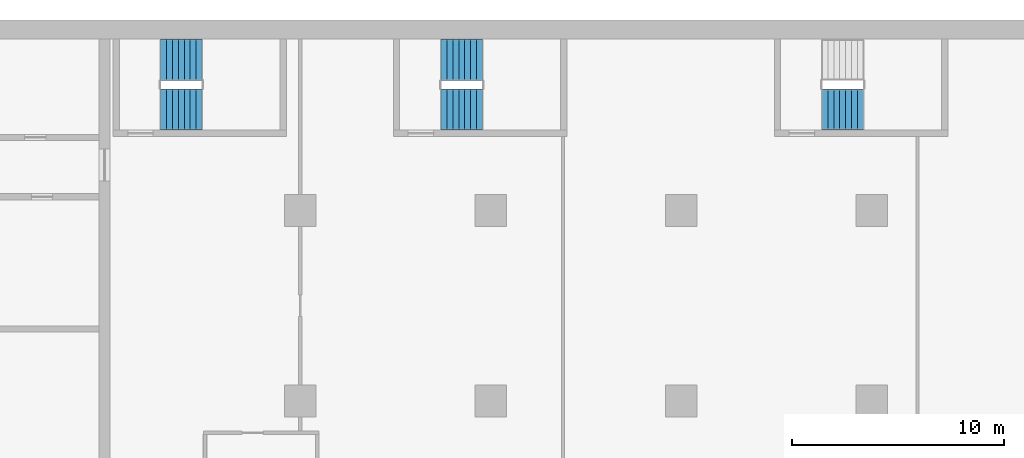
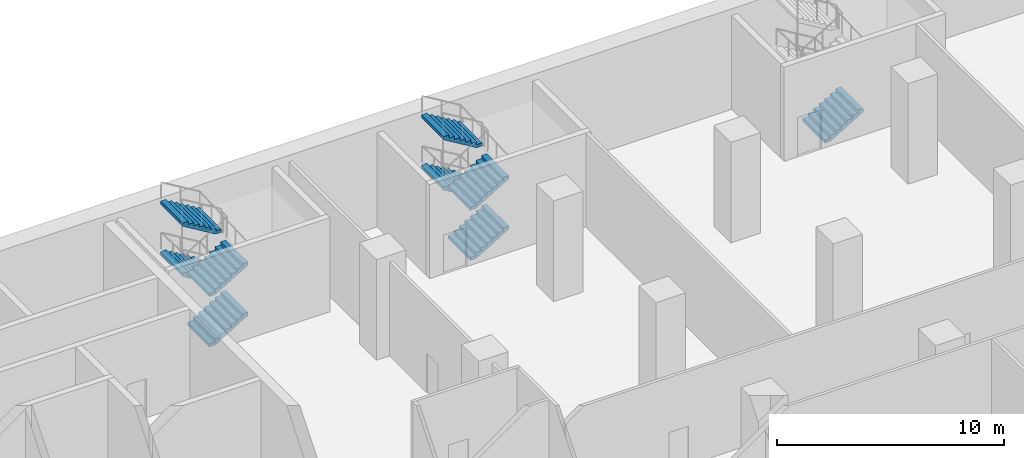
# One storey, part 28 of 44: 9 stair flights, 3 elements without a shape of their own.
"""IFC4 building model written with IfcOpenShell, lengths in metres."""

from ifc_helpers import new_model, si_unit, direction, frame, origin, place, context, subcontext, project, spatial, polyline, outline, extrude, material, type_object, element, aggregate, save


model = new_model("IFC4")

# Units and contexts
model_context = context("Model", 3, precision=1e-05, world=origin(), true_north=direction((0.0, 1.0)))
body_context = subcontext(model_context, "Body", "Model", "MODEL_VIEW")
ifc_project = project(units=[si_unit("LENGTHUNIT", "METRE"), si_unit("AREAUNIT", "SQUARE_METRE"), si_unit("VOLUMEUNIT", "CUBIC_METRE"), si_unit("PLANEANGLEUNIT", "RADIAN"), si_unit("MASSUNIT", "GRAM", prefix="KILO")], contexts=[model_context])

# Site, building, storey
site_placement = place(None, origin())
site = spatial("IfcSite", under=ifc_project, at=site_placement, CompositionType="ELEMENT")
building_placement = place(site_placement, origin())
building = spatial("IfcBuilding", under=site, at=building_placement, Name="Hunhe Ridgeline Campus", CompositionType="ELEMENT")
storey_placement = place(building_placement, frame((0.0, 0.0, 6.0)))
storey = spatial("IfcBuildingStorey", under=building, at=storey_placement, Name="L01", CompositionType="ELEMENT", Elevation=6.0)

# Stair, stair flights
ifc_material = material(Name="Concrete C40", Category="concrete")
stair_type = type_object("IfcStairType", Name="Reinforced concrete dog-leg stair 1950 Concrete C40", PredefinedType="HALF_TURN_STAIR", material=ifc_material)
stair_1_placement = place(storey_placement, origin())
stair_1 = element("IfcStair", 1, at=stair_1_placement, inside=storey, type_object=stair_type, Name="L01 E1", PredefinedType="HALF_TURN_STAIR")
stair_flight_type = type_object("IfcStairFlightType", Name="Reinforced concrete stair flight 1950 Concrete C40", PredefinedType="STRAIGHT", material=ifc_material)
stair_flight_1_placement = place(storey_placement, frame((38.39990234375, 94.77490234375, 0.0), z_axis=(0.0, 0.0, 1.0), x_axis=(1.0, 0.0, 0.0)))
stair_flight_1 = element("IfcStairFlight", 2, at=stair_flight_1_placement, type_object=stair_flight_type, Name="ST5 flight 1", NumberOfRisers=8, NumberOfTreads=7, PredefinedType="STRAIGHT", RiserHeight=0.16875, TreadLength=0.28, context=body_context, shape_type="SweptSolid", body=[
    extrude(outline(polyline([(0.0, 0.0), (0.0, 0.168701171875), (0.280029296875, 0.168701171875), (0.280029296875, 0.33740234375), (0.56005859375, 0.33740234375), (0.56005859375, 0.50634765625), (0.840087890625, 0.50634765625), (0.840087890625, 0.675048828125), (1.1201171875, 0.675048828125), (1.1201171875, 0.84375), (1.39990234375, 0.84375), (1.39990234375, 1.012451171875), (1.679931640625, 1.012451171875), (1.679931640625, 1.18115234375), (1.9599609375, 1.18115234375), (1.9599609375, 1.35009765625), (1.9599609375, 1.00634765625), (0.29052734375, 0.0), (0.0, 0.0)])), frame((0.0, 0.97509765625, 0.0), z_axis=(0.0, -1.0, 0.0), x_axis=(1.0, 0.0, 0.0)), (0.0, 0.0, 1.0), 1.949951171875),
    extrude(outline(polyline([(0.030029296875, 0.030029296875), (0.030029296875, 0.138916015625), (0.31005859375, 0.138916015625), (0.31005859375, 0.3076171875), (0.590087890625, 0.3076171875), (0.590087890625, 0.476318359375), (0.8701171875, 0.476318359375), (0.8701171875, 0.64501953125), (1.14990234375, 0.64501953125), (1.14990234375, 0.813720703125), (1.429931640625, 0.813720703125), (1.429931640625, 0.982421875), (1.7099609375, 0.982421875), (1.7099609375, 1.1513671875), (1.929931640625, 1.1513671875), (1.929931640625, 1.023193359375), (0.281982421875, 0.030029296875), (0.030029296875, 0.030029296875)])), frame((0.0, -0.070068359375, 0.0), z_axis=(0.0, -1.0, 0.0), x_axis=(1.0, 0.0, 0.0)), (0.0, 0.0, 1.0), 0.019775390625),
    extrude(outline(polyline([(0.030029296875, 0.030029296875), (0.030029296875, 0.138916015625), (0.31005859375, 0.138916015625), (0.31005859375, 0.3076171875), (0.590087890625, 0.3076171875), (0.590087890625, 0.476318359375), (0.8701171875, 0.476318359375), (0.8701171875, 0.64501953125), (1.14990234375, 0.64501953125), (1.14990234375, 0.813720703125), (1.429931640625, 0.813720703125), (1.429931640625, 0.982421875), (1.7099609375, 0.982421875), (1.7099609375, 1.1513671875), (1.929931640625, 1.1513671875), (1.929931640625, 1.023193359375), (0.281982421875, 0.030029296875), (0.030029296875, 0.030029296875)])), frame((0.0, 0.010009765625, 0.0), z_axis=(0.0, -1.0, 0.0), x_axis=(1.0, 0.0, 0.0)), (0.0, 0.0, 1.0), 0.019775390625),
    extrude(outline(polyline([(0.030029296875, 0.030029296875), (0.030029296875, 0.138916015625), (0.31005859375, 0.138916015625), (0.31005859375, 0.3076171875), (0.590087890625, 0.3076171875), (0.590087890625, 0.476318359375), (0.8701171875, 0.476318359375), (0.8701171875, 0.64501953125), (1.14990234375, 0.64501953125), (1.14990234375, 0.813720703125), (1.429931640625, 0.813720703125), (1.429931640625, 0.982421875), (1.7099609375, 0.982421875), (1.7099609375, 1.1513671875), (1.929931640625, 1.1513671875), (1.929931640625, 1.023193359375), (0.281982421875, 0.030029296875), (0.030029296875, 0.030029296875)])), frame((0.0, 0.090087890625, 0.0), z_axis=(0.0, -1.0, 0.0), x_axis=(1.0, 0.0, 0.0)), (0.0, 0.0, 1.0), 0.019775390625),
])
stair_flight_2_placement = place(storey_placement, frame((40.360107421875, 97.125, 1.35009765625), z_axis=(0.0, 0.0, 1.0), x_axis=(-1.0, 0.0, 0.0)))
stair_flight_2 = element("IfcStairFlight", 3, at=stair_flight_2_placement, type_object=stair_flight_type, Name="ST5 flight 2", NumberOfRisers=8, NumberOfTreads=7, PredefinedType="STRAIGHT", RiserHeight=0.16875, TreadLength=0.28, context=body_context, shape_type="SweptSolid", body=[
    extrude(outline(polyline([(0.0, 0.0), (0.0, 0.168701171875), (0.280029296875, 0.168701171875), (0.280029296875, 0.33740234375), (0.56005859375, 0.33740234375), (0.56005859375, 0.50634765625), (0.840087890625, 0.50634765625), (0.840087890625, 0.675048828125), (1.1201171875, 0.675048828125), (1.1201171875, 0.84375), (1.39990234375, 0.84375), (1.39990234375, 1.012451171875), (1.679931640625, 1.012451171875), (1.679931640625, 1.18115234375), (1.9599609375, 1.18115234375), (1.9599609375, 1.35009765625), (1.9599609375, 1.00634765625), (0.29052734375, 0.0), (0.0, 0.0)])), frame((0.0, 0.97509765625, 0.0), z_axis=(0.0, -1.0, 0.0), x_axis=(1.0, 0.0, 0.0)), (0.0, 0.0, 1.0), 1.949951171875),
    extrude(outline(polyline([(0.030029296875, 0.030029296875), (0.030029296875, 0.138916015625), (0.31005859375, 0.138916015625), (0.31005859375, 0.3076171875), (0.590087890625, 0.3076171875), (0.590087890625, 0.476318359375), (0.8701171875, 0.476318359375), (0.8701171875, 0.64501953125), (1.14990234375, 0.64501953125), (1.14990234375, 0.813720703125), (1.429931640625, 0.813720703125), (1.429931640625, 0.982421875), (1.7099609375, 0.982421875), (1.7099609375, 1.1513671875), (1.929931640625, 1.1513671875), (1.929931640625, 1.023193359375), (0.281982421875, 0.030029296875), (0.030029296875, 0.030029296875)])), frame((0.0, -0.070068359375, 0.0), z_axis=(0.0, -1.0, 0.0), x_axis=(1.0, 0.0, 0.0)), (0.0, 0.0, 1.0), 0.019775390625),
    extrude(outline(polyline([(0.030029296875, 0.030029296875), (0.030029296875, 0.138916015625), (0.31005859375, 0.138916015625), (0.31005859375, 0.3076171875), (0.590087890625, 0.3076171875), (0.590087890625, 0.476318359375), (0.8701171875, 0.476318359375), (0.8701171875, 0.64501953125), (1.14990234375, 0.64501953125), (1.14990234375, 0.813720703125), (1.429931640625, 0.813720703125), (1.429931640625, 0.982421875), (1.7099609375, 0.982421875), (1.7099609375, 1.1513671875), (1.929931640625, 1.1513671875), (1.929931640625, 1.023193359375), (0.281982421875, 0.030029296875), (0.030029296875, 0.030029296875)])), frame((0.0, 0.010009765625, 0.0), z_axis=(0.0, -1.0, 0.0), x_axis=(1.0, 0.0, 0.0)), (0.0, 0.0, 1.0), 0.019775390625),
    extrude(outline(polyline([(0.030029296875, 0.030029296875), (0.030029296875, 0.138916015625), (0.31005859375, 0.138916015625), (0.31005859375, 0.3076171875), (0.590087890625, 0.3076171875), (0.590087890625, 0.476318359375), (0.8701171875, 0.476318359375), (0.8701171875, 0.64501953125), (1.14990234375, 0.64501953125), (1.14990234375, 0.813720703125), (1.429931640625, 0.813720703125), (1.429931640625, 0.982421875), (1.7099609375, 0.982421875), (1.7099609375, 1.1513671875), (1.929931640625, 1.1513671875), (1.929931640625, 1.023193359375), (0.281982421875, 0.030029296875), (0.030029296875, 0.030029296875)])), frame((0.0, 0.090087890625, 0.0), z_axis=(0.0, -1.0, 0.0), x_axis=(1.0, 0.0, 0.0)), (0.0, 0.0, 1.0), 0.019775390625),
])
stair_flight_3_placement = place(storey_placement, frame((38.39990234375, 94.77490234375, 2.699951171875), z_axis=(0.0, 0.0, 1.0), x_axis=(1.0, 0.0, 0.0)))
stair_flight_3 = element("IfcStairFlight", 4, at=stair_flight_3_placement, type_object=stair_flight_type, Name="ST5 flight 3", NumberOfRisers=8, NumberOfTreads=7, PredefinedType="STRAIGHT", RiserHeight=0.16875, TreadLength=0.28, context=body_context, shape_type="SweptSolid", body=[
    extrude(outline(polyline([(0.0, 0.0), (0.0, 0.168701171875), (0.280029296875, 0.168701171875), (0.280029296875, 0.33740234375), (0.56005859375, 0.33740234375), (0.56005859375, 0.50634765625), (0.840087890625, 0.50634765625), (0.840087890625, 0.675048828125), (1.1201171875, 0.675048828125), (1.1201171875, 0.84375), (1.39990234375, 0.84375), (1.39990234375, 1.012451171875), (1.679931640625, 1.012451171875), (1.679931640625, 1.18115234375), (1.9599609375, 1.18115234375), (1.9599609375, 1.35009765625), (1.9599609375, 1.00634765625), (0.29052734375, 0.0), (0.0, 0.0)])), frame((0.0, 0.97509765625, 0.0), z_axis=(0.0, -1.0, 0.0), x_axis=(1.0, 0.0, 0.0)), (0.0, 0.0, 1.0), 1.949951171875),
    extrude(outline(polyline([(0.030029296875, 0.030029296875), (0.030029296875, 0.138916015625), (0.31005859375, 0.138916015625), (0.31005859375, 0.3076171875), (0.590087890625, 0.3076171875), (0.590087890625, 0.476318359375), (0.8701171875, 0.476318359375), (0.8701171875, 0.64501953125), (1.14990234375, 0.64501953125), (1.14990234375, 0.813720703125), (1.429931640625, 0.813720703125), (1.429931640625, 0.982421875), (1.7099609375, 0.982421875), (1.7099609375, 1.1513671875), (1.929931640625, 1.1513671875), (1.929931640625, 1.023193359375), (0.281982421875, 0.030029296875), (0.030029296875, 0.030029296875)])), frame((0.0, -0.070068359375, 0.0), z_axis=(0.0, -1.0, 0.0), x_axis=(1.0, 0.0, 0.0)), (0.0, 0.0, 1.0), 0.019775390625),
    extrude(outline(polyline([(0.030029296875, 0.030029296875), (0.030029296875, 0.138916015625), (0.31005859375, 0.138916015625), (0.31005859375, 0.3076171875), (0.590087890625, 0.3076171875), (0.590087890625, 0.476318359375), (0.8701171875, 0.476318359375), (0.8701171875, 0.64501953125), (1.14990234375, 0.64501953125), (1.14990234375, 0.813720703125), (1.429931640625, 0.813720703125), (1.429931640625, 0.982421875), (1.7099609375, 0.982421875), (1.7099609375, 1.1513671875), (1.929931640625, 1.1513671875), (1.929931640625, 1.023193359375), (0.281982421875, 0.030029296875), (0.030029296875, 0.030029296875)])), frame((0.0, 0.010009765625, 0.0), z_axis=(0.0, -1.0, 0.0), x_axis=(1.0, 0.0, 0.0)), (0.0, 0.0, 1.0), 0.019775390625),
    extrude(outline(polyline([(0.030029296875, 0.030029296875), (0.030029296875, 0.138916015625), (0.31005859375, 0.138916015625), (0.31005859375, 0.3076171875), (0.590087890625, 0.3076171875), (0.590087890625, 0.476318359375), (0.8701171875, 0.476318359375), (0.8701171875, 0.64501953125), (1.14990234375, 0.64501953125), (1.14990234375, 0.813720703125), (1.429931640625, 0.813720703125), (1.429931640625, 0.982421875), (1.7099609375, 0.982421875), (1.7099609375, 1.1513671875), (1.929931640625, 1.1513671875), (1.929931640625, 1.023193359375), (0.281982421875, 0.030029296875), (0.030029296875, 0.030029296875)])), frame((0.0, 0.090087890625, 0.0), z_axis=(0.0, -1.0, 0.0), x_axis=(1.0, 0.0, 0.0)), (0.0, 0.0, 1.0), 0.019775390625),
])
stair_flight_4_placement = place(storey_placement, frame((40.360107421875, 97.125, 4.050048828125), z_axis=(0.0, 0.0, 1.0), x_axis=(-1.0, 0.0, 0.0)))
stair_flight_4 = element("IfcStairFlight", 5, at=stair_flight_4_placement, type_object=stair_flight_type, Name="ST5 flight 4", NumberOfRisers=8, NumberOfTreads=7, PredefinedType="STRAIGHT", RiserHeight=0.16875, TreadLength=0.28, context=body_context, shape_type="SweptSolid", body=[
    extrude(outline(polyline([(0.0, 0.0), (0.0, 0.168701171875), (0.280029296875, 0.168701171875), (0.280029296875, 0.33740234375), (0.56005859375, 0.33740234375), (0.56005859375, 0.50634765625), (0.840087890625, 0.50634765625), (0.840087890625, 0.675048828125), (1.1201171875, 0.675048828125), (1.1201171875, 0.84375), (1.39990234375, 0.84375), (1.39990234375, 1.012451171875), (1.679931640625, 1.012451171875), (1.679931640625, 1.18115234375), (1.9599609375, 1.18115234375), (1.9599609375, 1.35009765625), (1.9599609375, 1.00634765625), (0.29052734375, 0.0), (0.0, 0.0)])), frame((0.0, 0.97509765625, 0.0), z_axis=(0.0, -1.0, 0.0), x_axis=(1.0, 0.0, 0.0)), (0.0, 0.0, 1.0), 1.949951171875),
    extrude(outline(polyline([(0.030029296875, 0.030029296875), (0.030029296875, 0.138916015625), (0.31005859375, 0.138916015625), (0.31005859375, 0.3076171875), (0.590087890625, 0.3076171875), (0.590087890625, 0.476318359375), (0.8701171875, 0.476318359375), (0.8701171875, 0.64501953125), (1.14990234375, 0.64501953125), (1.14990234375, 0.813720703125), (1.429931640625, 0.813720703125), (1.429931640625, 0.982421875), (1.7099609375, 0.982421875), (1.7099609375, 1.1513671875), (1.929931640625, 1.1513671875), (1.929931640625, 1.023193359375), (0.281982421875, 0.030029296875), (0.030029296875, 0.030029296875)])), frame((0.0, -0.070068359375, 0.0), z_axis=(0.0, -1.0, 0.0), x_axis=(1.0, 0.0, 0.0)), (0.0, 0.0, 1.0), 0.019775390625),
    extrude(outline(polyline([(0.030029296875, 0.030029296875), (0.030029296875, 0.138916015625), (0.31005859375, 0.138916015625), (0.31005859375, 0.3076171875), (0.590087890625, 0.3076171875), (0.590087890625, 0.476318359375), (0.8701171875, 0.476318359375), (0.8701171875, 0.64501953125), (1.14990234375, 0.64501953125), (1.14990234375, 0.813720703125), (1.429931640625, 0.813720703125), (1.429931640625, 0.982421875), (1.7099609375, 0.982421875), (1.7099609375, 1.1513671875), (1.929931640625, 1.1513671875), (1.929931640625, 1.023193359375), (0.281982421875, 0.030029296875), (0.030029296875, 0.030029296875)])), frame((0.0, 0.010009765625, 0.0), z_axis=(0.0, -1.0, 0.0), x_axis=(1.0, 0.0, 0.0)), (0.0, 0.0, 1.0), 0.019775390625),
    extrude(outline(polyline([(0.030029296875, 0.030029296875), (0.030029296875, 0.138916015625), (0.31005859375, 0.138916015625), (0.31005859375, 0.3076171875), (0.590087890625, 0.3076171875), (0.590087890625, 0.476318359375), (0.8701171875, 0.476318359375), (0.8701171875, 0.64501953125), (1.14990234375, 0.64501953125), (1.14990234375, 0.813720703125), (1.429931640625, 0.813720703125), (1.429931640625, 0.982421875), (1.7099609375, 0.982421875), (1.7099609375, 1.1513671875), (1.929931640625, 1.1513671875), (1.929931640625, 1.023193359375), (0.281982421875, 0.030029296875), (0.030029296875, 0.030029296875)])), frame((0.0, 0.090087890625, 0.0), z_axis=(0.0, -1.0, 0.0), x_axis=(1.0, 0.0, 0.0)), (0.0, 0.0, 1.0), 0.019775390625),
])
aggregate(stair_1, [stair_flight_1, stair_flight_2, stair_flight_3, stair_flight_4])

stair_2_placement = place(storey_placement, origin())
stair_2 = element("IfcStair", 6, at=stair_2_placement, inside=storey, type_object=stair_type, Name="L01 E2", PredefinedType="HALF_TURN_STAIR")
stair_flight_5_placement = place(storey_placement, frame((51.64990234375, 94.77490234375, 0.0), z_axis=(0.0, 0.0, 1.0), x_axis=(1.0, 0.0, 0.0)))
stair_flight_5 = element("IfcStairFlight", 7, at=stair_flight_5_placement, type_object=stair_flight_type, Name="ST6 flight 1", NumberOfRisers=8, NumberOfTreads=7, PredefinedType="STRAIGHT", RiserHeight=0.16875, TreadLength=0.28, context=body_context, shape_type="SweptSolid", body=[
    extrude(outline(polyline([(0.0, 0.0), (0.0, 0.168701171875), (0.280029296875, 0.168701171875), (0.280029296875, 0.33740234375), (0.56005859375, 0.33740234375), (0.56005859375, 0.50634765625), (0.840087890625, 0.50634765625), (0.840087890625, 0.675048828125), (1.1201171875, 0.675048828125), (1.1201171875, 0.84375), (1.39990234375, 0.84375), (1.39990234375, 1.012451171875), (1.679931640625, 1.012451171875), (1.679931640625, 1.18115234375), (1.9599609375, 1.18115234375), (1.9599609375, 1.35009765625), (1.9599609375, 1.00634765625), (0.29052734375, 0.0), (0.0, 0.0)])), frame((0.0, 0.97509765625, 0.0), z_axis=(0.0, -1.0, 0.0), x_axis=(1.0, 0.0, 0.0)), (0.0, 0.0, 1.0), 1.949951171875),
    extrude(outline(polyline([(0.030029296875, 0.030029296875), (0.030029296875, 0.138916015625), (0.31005859375, 0.138916015625), (0.31005859375, 0.3076171875), (0.590087890625, 0.3076171875), (0.590087890625, 0.476318359375), (0.8701171875, 0.476318359375), (0.8701171875, 0.64501953125), (1.14990234375, 0.64501953125), (1.14990234375, 0.813720703125), (1.429931640625, 0.813720703125), (1.429931640625, 0.982421875), (1.7099609375, 0.982421875), (1.7099609375, 1.1513671875), (1.929931640625, 1.1513671875), (1.929931640625, 1.023193359375), (0.281982421875, 0.030029296875), (0.030029296875, 0.030029296875)])), frame((0.0, -0.070068359375, 0.0), z_axis=(0.0, -1.0, 0.0), x_axis=(1.0, 0.0, 0.0)), (0.0, 0.0, 1.0), 0.019775390625),
    extrude(outline(polyline([(0.030029296875, 0.030029296875), (0.030029296875, 0.138916015625), (0.31005859375, 0.138916015625), (0.31005859375, 0.3076171875), (0.590087890625, 0.3076171875), (0.590087890625, 0.476318359375), (0.8701171875, 0.476318359375), (0.8701171875, 0.64501953125), (1.14990234375, 0.64501953125), (1.14990234375, 0.813720703125), (1.429931640625, 0.813720703125), (1.429931640625, 0.982421875), (1.7099609375, 0.982421875), (1.7099609375, 1.1513671875), (1.929931640625, 1.1513671875), (1.929931640625, 1.023193359375), (0.281982421875, 0.030029296875), (0.030029296875, 0.030029296875)])), frame((0.0, 0.010009765625, 0.0), z_axis=(0.0, -1.0, 0.0), x_axis=(1.0, 0.0, 0.0)), (0.0, 0.0, 1.0), 0.019775390625),
    extrude(outline(polyline([(0.030029296875, 0.030029296875), (0.030029296875, 0.138916015625), (0.31005859375, 0.138916015625), (0.31005859375, 0.3076171875), (0.590087890625, 0.3076171875), (0.590087890625, 0.476318359375), (0.8701171875, 0.476318359375), (0.8701171875, 0.64501953125), (1.14990234375, 0.64501953125), (1.14990234375, 0.813720703125), (1.429931640625, 0.813720703125), (1.429931640625, 0.982421875), (1.7099609375, 0.982421875), (1.7099609375, 1.1513671875), (1.929931640625, 1.1513671875), (1.929931640625, 1.023193359375), (0.281982421875, 0.030029296875), (0.030029296875, 0.030029296875)])), frame((0.0, 0.090087890625, 0.0), z_axis=(0.0, -1.0, 0.0), x_axis=(1.0, 0.0, 0.0)), (0.0, 0.0, 1.0), 0.019775390625),
])
stair_flight_6_placement = place(storey_placement, frame((53.610107421875, 97.125, 1.35009765625), z_axis=(0.0, 0.0, 1.0), x_axis=(-1.0, 0.0, 0.0)))
stair_flight_6 = element("IfcStairFlight", 8, at=stair_flight_6_placement, type_object=stair_flight_type, Name="ST6 flight 2", NumberOfRisers=8, NumberOfTreads=7, PredefinedType="STRAIGHT", RiserHeight=0.16875, TreadLength=0.28, context=body_context, shape_type="SweptSolid", body=[
    extrude(outline(polyline([(0.0, 0.0), (0.0, 0.168701171875), (0.280029296875, 0.168701171875), (0.280029296875, 0.33740234375), (0.56005859375, 0.33740234375), (0.56005859375, 0.50634765625), (0.840087890625, 0.50634765625), (0.840087890625, 0.675048828125), (1.1201171875, 0.675048828125), (1.1201171875, 0.84375), (1.39990234375, 0.84375), (1.39990234375, 1.012451171875), (1.679931640625, 1.012451171875), (1.679931640625, 1.18115234375), (1.9599609375, 1.18115234375), (1.9599609375, 1.35009765625), (1.9599609375, 1.00634765625), (0.29052734375, 0.0), (0.0, 0.0)])), frame((0.0, 0.97509765625, 0.0), z_axis=(0.0, -1.0, 0.0), x_axis=(1.0, 0.0, 0.0)), (0.0, 0.0, 1.0), 1.949951171875),
    extrude(outline(polyline([(0.030029296875, 0.030029296875), (0.030029296875, 0.138916015625), (0.31005859375, 0.138916015625), (0.31005859375, 0.3076171875), (0.590087890625, 0.3076171875), (0.590087890625, 0.476318359375), (0.8701171875, 0.476318359375), (0.8701171875, 0.64501953125), (1.14990234375, 0.64501953125), (1.14990234375, 0.813720703125), (1.429931640625, 0.813720703125), (1.429931640625, 0.982421875), (1.7099609375, 0.982421875), (1.7099609375, 1.1513671875), (1.929931640625, 1.1513671875), (1.929931640625, 1.023193359375), (0.281982421875, 0.030029296875), (0.030029296875, 0.030029296875)])), frame((0.0, -0.070068359375, 0.0), z_axis=(0.0, -1.0, 0.0), x_axis=(1.0, 0.0, 0.0)), (0.0, 0.0, 1.0), 0.019775390625),
    extrude(outline(polyline([(0.030029296875, 0.030029296875), (0.030029296875, 0.138916015625), (0.31005859375, 0.138916015625), (0.31005859375, 0.3076171875), (0.590087890625, 0.3076171875), (0.590087890625, 0.476318359375), (0.8701171875, 0.476318359375), (0.8701171875, 0.64501953125), (1.14990234375, 0.64501953125), (1.14990234375, 0.813720703125), (1.429931640625, 0.813720703125), (1.429931640625, 0.982421875), (1.7099609375, 0.982421875), (1.7099609375, 1.1513671875), (1.929931640625, 1.1513671875), (1.929931640625, 1.023193359375), (0.281982421875, 0.030029296875), (0.030029296875, 0.030029296875)])), frame((0.0, 0.010009765625, 0.0), z_axis=(0.0, -1.0, 0.0), x_axis=(1.0, 0.0, 0.0)), (0.0, 0.0, 1.0), 0.019775390625),
    extrude(outline(polyline([(0.030029296875, 0.030029296875), (0.030029296875, 0.138916015625), (0.31005859375, 0.138916015625), (0.31005859375, 0.3076171875), (0.590087890625, 0.3076171875), (0.590087890625, 0.476318359375), (0.8701171875, 0.476318359375), (0.8701171875, 0.64501953125), (1.14990234375, 0.64501953125), (1.14990234375, 0.813720703125), (1.429931640625, 0.813720703125), (1.429931640625, 0.982421875), (1.7099609375, 0.982421875), (1.7099609375, 1.1513671875), (1.929931640625, 1.1513671875), (1.929931640625, 1.023193359375), (0.281982421875, 0.030029296875), (0.030029296875, 0.030029296875)])), frame((0.0, 0.090087890625, 0.0), z_axis=(0.0, -1.0, 0.0), x_axis=(1.0, 0.0, 0.0)), (0.0, 0.0, 1.0), 0.019775390625),
])
stair_flight_7_placement = place(storey_placement, frame((51.64990234375, 94.77490234375, 2.699951171875), z_axis=(0.0, 0.0, 1.0), x_axis=(1.0, 0.0, 0.0)))
stair_flight_7 = element("IfcStairFlight", 9, at=stair_flight_7_placement, type_object=stair_flight_type, Name="ST6 flight 3", NumberOfRisers=8, NumberOfTreads=7, PredefinedType="STRAIGHT", RiserHeight=0.16875, TreadLength=0.28, context=body_context, shape_type="SweptSolid", body=[
    extrude(outline(polyline([(0.0, 0.0), (0.0, 0.168701171875), (0.280029296875, 0.168701171875), (0.280029296875, 0.33740234375), (0.56005859375, 0.33740234375), (0.56005859375, 0.50634765625), (0.840087890625, 0.50634765625), (0.840087890625, 0.675048828125), (1.1201171875, 0.675048828125), (1.1201171875, 0.84375), (1.39990234375, 0.84375), (1.39990234375, 1.012451171875), (1.679931640625, 1.012451171875), (1.679931640625, 1.18115234375), (1.9599609375, 1.18115234375), (1.9599609375, 1.35009765625), (1.9599609375, 1.00634765625), (0.29052734375, 0.0), (0.0, 0.0)])), frame((0.0, 0.97509765625, 0.0), z_axis=(0.0, -1.0, 0.0), x_axis=(1.0, 0.0, 0.0)), (0.0, 0.0, 1.0), 1.949951171875),
    extrude(outline(polyline([(0.030029296875, 0.030029296875), (0.030029296875, 0.138916015625), (0.31005859375, 0.138916015625), (0.31005859375, 0.3076171875), (0.590087890625, 0.3076171875), (0.590087890625, 0.476318359375), (0.8701171875, 0.476318359375), (0.8701171875, 0.64501953125), (1.14990234375, 0.64501953125), (1.14990234375, 0.813720703125), (1.429931640625, 0.813720703125), (1.429931640625, 0.982421875), (1.7099609375, 0.982421875), (1.7099609375, 1.1513671875), (1.929931640625, 1.1513671875), (1.929931640625, 1.023193359375), (0.281982421875, 0.030029296875), (0.030029296875, 0.030029296875)])), frame((0.0, -0.070068359375, 0.0), z_axis=(0.0, -1.0, 0.0), x_axis=(1.0, 0.0, 0.0)), (0.0, 0.0, 1.0), 0.019775390625),
    extrude(outline(polyline([(0.030029296875, 0.030029296875), (0.030029296875, 0.138916015625), (0.31005859375, 0.138916015625), (0.31005859375, 0.3076171875), (0.590087890625, 0.3076171875), (0.590087890625, 0.476318359375), (0.8701171875, 0.476318359375), (0.8701171875, 0.64501953125), (1.14990234375, 0.64501953125), (1.14990234375, 0.813720703125), (1.429931640625, 0.813720703125), (1.429931640625, 0.982421875), (1.7099609375, 0.982421875), (1.7099609375, 1.1513671875), (1.929931640625, 1.1513671875), (1.929931640625, 1.023193359375), (0.281982421875, 0.030029296875), (0.030029296875, 0.030029296875)])), frame((0.0, 0.010009765625, 0.0), z_axis=(0.0, -1.0, 0.0), x_axis=(1.0, 0.0, 0.0)), (0.0, 0.0, 1.0), 0.019775390625),
    extrude(outline(polyline([(0.030029296875, 0.030029296875), (0.030029296875, 0.138916015625), (0.31005859375, 0.138916015625), (0.31005859375, 0.3076171875), (0.590087890625, 0.3076171875), (0.590087890625, 0.476318359375), (0.8701171875, 0.476318359375), (0.8701171875, 0.64501953125), (1.14990234375, 0.64501953125), (1.14990234375, 0.813720703125), (1.429931640625, 0.813720703125), (1.429931640625, 0.982421875), (1.7099609375, 0.982421875), (1.7099609375, 1.1513671875), (1.929931640625, 1.1513671875), (1.929931640625, 1.023193359375), (0.281982421875, 0.030029296875), (0.030029296875, 0.030029296875)])), frame((0.0, 0.090087890625, 0.0), z_axis=(0.0, -1.0, 0.0), x_axis=(1.0, 0.0, 0.0)), (0.0, 0.0, 1.0), 0.019775390625),
])
stair_flight_8_placement = place(storey_placement, frame((53.610107421875, 97.125, 4.050048828125), z_axis=(0.0, 0.0, 1.0), x_axis=(-1.0, 0.0, 0.0)))
stair_flight_8 = element("IfcStairFlight", 10, at=stair_flight_8_placement, type_object=stair_flight_type, Name="ST6 flight 4", NumberOfRisers=8, NumberOfTreads=7, PredefinedType="STRAIGHT", RiserHeight=0.16875, TreadLength=0.28, context=body_context, shape_type="SweptSolid", body=[
    extrude(outline(polyline([(0.0, 0.0), (0.0, 0.168701171875), (0.280029296875, 0.168701171875), (0.280029296875, 0.33740234375), (0.56005859375, 0.33740234375), (0.56005859375, 0.50634765625), (0.840087890625, 0.50634765625), (0.840087890625, 0.675048828125), (1.1201171875, 0.675048828125), (1.1201171875, 0.84375), (1.39990234375, 0.84375), (1.39990234375, 1.012451171875), (1.679931640625, 1.012451171875), (1.679931640625, 1.18115234375), (1.9599609375, 1.18115234375), (1.9599609375, 1.35009765625), (1.9599609375, 1.00634765625), (0.29052734375, 0.0), (0.0, 0.0)])), frame((0.0, 0.97509765625, 0.0), z_axis=(0.0, -1.0, 0.0), x_axis=(1.0, 0.0, 0.0)), (0.0, 0.0, 1.0), 1.949951171875),
    extrude(outline(polyline([(0.030029296875, 0.030029296875), (0.030029296875, 0.138916015625), (0.31005859375, 0.138916015625), (0.31005859375, 0.3076171875), (0.590087890625, 0.3076171875), (0.590087890625, 0.476318359375), (0.8701171875, 0.476318359375), (0.8701171875, 0.64501953125), (1.14990234375, 0.64501953125), (1.14990234375, 0.813720703125), (1.429931640625, 0.813720703125), (1.429931640625, 0.982421875), (1.7099609375, 0.982421875), (1.7099609375, 1.1513671875), (1.929931640625, 1.1513671875), (1.929931640625, 1.023193359375), (0.281982421875, 0.030029296875), (0.030029296875, 0.030029296875)])), frame((0.0, -0.070068359375, 0.0), z_axis=(0.0, -1.0, 0.0), x_axis=(1.0, 0.0, 0.0)), (0.0, 0.0, 1.0), 0.019775390625),
    extrude(outline(polyline([(0.030029296875, 0.030029296875), (0.030029296875, 0.138916015625), (0.31005859375, 0.138916015625), (0.31005859375, 0.3076171875), (0.590087890625, 0.3076171875), (0.590087890625, 0.476318359375), (0.8701171875, 0.476318359375), (0.8701171875, 0.64501953125), (1.14990234375, 0.64501953125), (1.14990234375, 0.813720703125), (1.429931640625, 0.813720703125), (1.429931640625, 0.982421875), (1.7099609375, 0.982421875), (1.7099609375, 1.1513671875), (1.929931640625, 1.1513671875), (1.929931640625, 1.023193359375), (0.281982421875, 0.030029296875), (0.030029296875, 0.030029296875)])), frame((0.0, 0.010009765625, 0.0), z_axis=(0.0, -1.0, 0.0), x_axis=(1.0, 0.0, 0.0)), (0.0, 0.0, 1.0), 0.019775390625),
    extrude(outline(polyline([(0.030029296875, 0.030029296875), (0.030029296875, 0.138916015625), (0.31005859375, 0.138916015625), (0.31005859375, 0.3076171875), (0.590087890625, 0.3076171875), (0.590087890625, 0.476318359375), (0.8701171875, 0.476318359375), (0.8701171875, 0.64501953125), (1.14990234375, 0.64501953125), (1.14990234375, 0.813720703125), (1.429931640625, 0.813720703125), (1.429931640625, 0.982421875), (1.7099609375, 0.982421875), (1.7099609375, 1.1513671875), (1.929931640625, 1.1513671875), (1.929931640625, 1.023193359375), (0.281982421875, 0.030029296875), (0.030029296875, 0.030029296875)])), frame((0.0, 0.090087890625, 0.0), z_axis=(0.0, -1.0, 0.0), x_axis=(1.0, 0.0, 0.0)), (0.0, 0.0, 1.0), 0.019775390625),
])
aggregate(stair_2, [stair_flight_5, stair_flight_6, stair_flight_7, stair_flight_8])

# Stair, stair flight
stair_3_placement = place(storey_placement, origin())
stair_3 = element("IfcStair", 11, at=stair_3_placement, inside=storey, type_object=stair_type, Name="L01 E3", PredefinedType="HALF_TURN_STAIR")
stair_flight_9_placement = place(storey_placement, frame((69.64990234375, 94.77490234375, 0.0), z_axis=(0.0, 0.0, 1.0), x_axis=(1.0, 0.0, 0.0)))
stair_flight_9 = element("IfcStairFlight", 12, at=stair_flight_9_placement, type_object=stair_flight_type, Name="ST7 flight 1", NumberOfRisers=8, NumberOfTreads=7, PredefinedType="STRAIGHT", RiserHeight=0.16875, TreadLength=0.28, context=body_context, shape_type="SweptSolid", body=[
    extrude(outline(polyline([(0.0, 0.0), (0.0, 0.168701171875), (0.280029296875, 0.168701171875), (0.280029296875, 0.33740234375), (0.56005859375, 0.33740234375), (0.56005859375, 0.50634765625), (0.840087890625, 0.50634765625), (0.840087890625, 0.675048828125), (1.1201171875, 0.675048828125), (1.1201171875, 0.84375), (1.39990234375, 0.84375), (1.39990234375, 1.012451171875), (1.679931640625, 1.012451171875), (1.679931640625, 1.18115234375), (1.9599609375, 1.18115234375), (1.9599609375, 1.35009765625), (1.9599609375, 1.00634765625), (0.29052734375, 0.0), (0.0, 0.0)])), frame((0.0, 0.97509765625, 0.0), z_axis=(0.0, -1.0, 0.0), x_axis=(1.0, 0.0, 0.0)), (0.0, 0.0, 1.0), 1.949951171875),
    extrude(outline(polyline([(0.030029296875, 0.030029296875), (0.030029296875, 0.138916015625), (0.31005859375, 0.138916015625), (0.31005859375, 0.3076171875), (0.590087890625, 0.3076171875), (0.590087890625, 0.476318359375), (0.8701171875, 0.476318359375), (0.8701171875, 0.64501953125), (1.14990234375, 0.64501953125), (1.14990234375, 0.813720703125), (1.429931640625, 0.813720703125), (1.429931640625, 0.982421875), (1.7099609375, 0.982421875), (1.7099609375, 1.1513671875), (1.929931640625, 1.1513671875), (1.929931640625, 1.023193359375), (0.281982421875, 0.030029296875), (0.030029296875, 0.030029296875)])), frame((0.0, -0.070068359375, 0.0), z_axis=(0.0, -1.0, 0.0), x_axis=(1.0, 0.0, 0.0)), (0.0, 0.0, 1.0), 0.019775390625),
    extrude(outline(polyline([(0.030029296875, 0.030029296875), (0.030029296875, 0.138916015625), (0.31005859375, 0.138916015625), (0.31005859375, 0.3076171875), (0.590087890625, 0.3076171875), (0.590087890625, 0.476318359375), (0.8701171875, 0.476318359375), (0.8701171875, 0.64501953125), (1.14990234375, 0.64501953125), (1.14990234375, 0.813720703125), (1.429931640625, 0.813720703125), (1.429931640625, 0.982421875), (1.7099609375, 0.982421875), (1.7099609375, 1.1513671875), (1.929931640625, 1.1513671875), (1.929931640625, 1.023193359375), (0.281982421875, 0.030029296875), (0.030029296875, 0.030029296875)])), frame((0.0, 0.010009765625, 0.0), z_axis=(0.0, -1.0, 0.0), x_axis=(1.0, 0.0, 0.0)), (0.0, 0.0, 1.0), 0.019775390625),
    extrude(outline(polyline([(0.030029296875, 0.030029296875), (0.030029296875, 0.138916015625), (0.31005859375, 0.138916015625), (0.31005859375, 0.3076171875), (0.590087890625, 0.3076171875), (0.590087890625, 0.476318359375), (0.8701171875, 0.476318359375), (0.8701171875, 0.64501953125), (1.14990234375, 0.64501953125), (1.14990234375, 0.813720703125), (1.429931640625, 0.813720703125), (1.429931640625, 0.982421875), (1.7099609375, 0.982421875), (1.7099609375, 1.1513671875), (1.929931640625, 1.1513671875), (1.929931640625, 1.023193359375), (0.281982421875, 0.030029296875), (0.030029296875, 0.030029296875)])), frame((0.0, 0.090087890625, 0.0), z_axis=(0.0, -1.0, 0.0), x_axis=(1.0, 0.0, 0.0)), (0.0, 0.0, 1.0), 0.019775390625),
])
aggregate(stair_3, [stair_flight_9])

save(model, "model.ifc")
